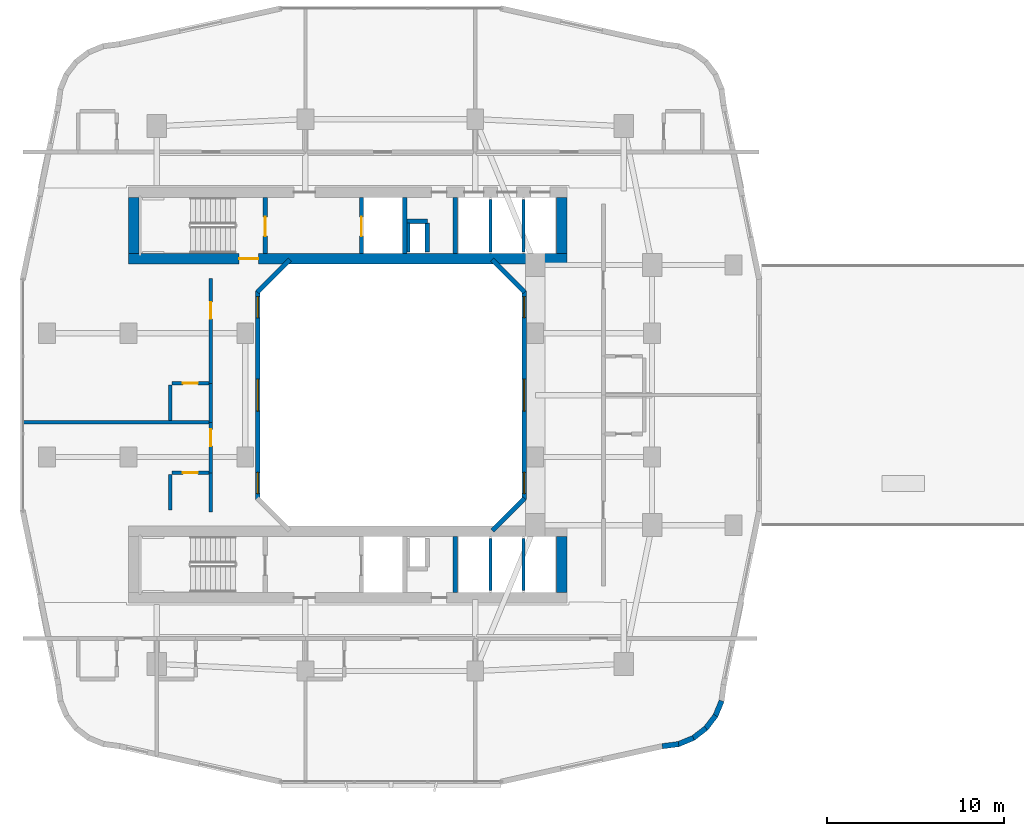
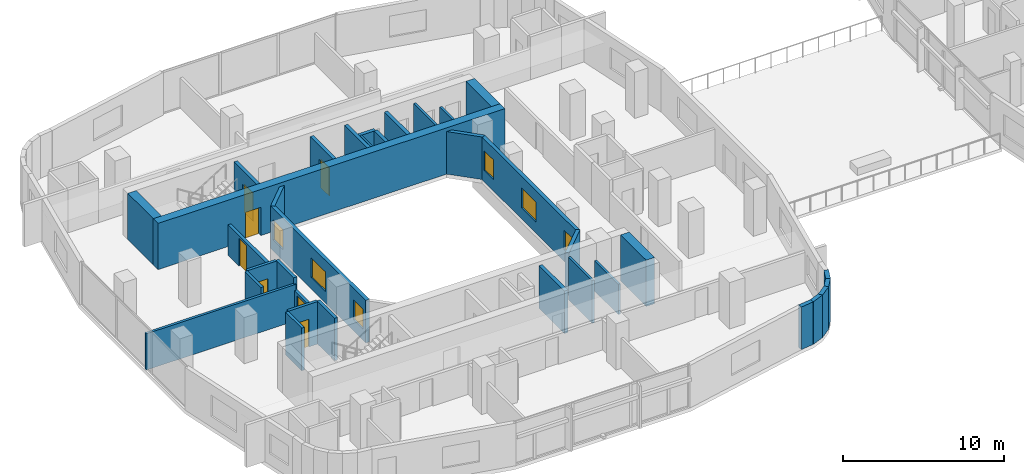
# One storey, part 13 of 25: 35 walls, 7 doors, 6 windows, 13 openings.
"""IFC4 building model written with IfcOpenShell, lengths in metres."""

import ifcopenshell
import ifcopenshell.guid

model = None  # the IFC model being written
_history = None  # IfcOwnerHistory: only IFC2X3 demands one
_inside = {}  # id of a spatial element -> (the spatial element, [elements in it])
_under = {}  # id of a project, library or spatial element -> (it, [spatial elements below it])
_declared = {}  # id of a project -> (the project, [libraries it declares])
_typed = {}  # id of a type object -> (the type object, [elements of that type])
_made_of = {}  # id of a material, layer set ... -> (it, [elements and type objects made of it])


def new_model(schema):
    """Start an empty IFC model of exactly this schema.

    Asked for "IFC4X3", IfcOpenShell would pick the latest addendum, in which some entities
    have other attributes; the version numbers below select the first issue.
    IFC2X3 requires an IfcOwnerHistory on every rooted entity: one is made here for all.
    """
    global model, _history
    if schema == "IFC4X3":
        model = ifcopenshell.file(schema_version=(4, 3, 0, 0))
    else:
        model = ifcopenshell.file(schema=schema)
    _inside.clear()
    _under.clear()
    _declared.clear()
    _typed.clear()
    _made_of.clear()
    _history = None
    if model.schema == "IFC2X3":
        org = make("IfcOrganization", Name="unknown")
        user = make(
            "IfcPersonAndOrganization",
            ThePerson=make("IfcPerson", FamilyName="unknown"),
            TheOrganization=org,
        )
        app = make(
            "IfcApplication",
            ApplicationDeveloper=org,
            Version="unknown",
            ApplicationFullName="unknown",
            ApplicationIdentifier="unknown",
        )
        _history = make(
            "IfcOwnerHistory",
            OwningUser=user,
            OwningApplication=app,
            ChangeAction="ADDED",
            CreationDate=0,
        )
    return model


def make(cls, **values):
    """One entity of the class cls with the attributes given. An attribute that is None is left unset."""
    return model.create_entity(
        cls, **{name: value for name, value in values.items() if value is not None}
    )


def rooted(cls, **values):
    """An entity with a GlobalId (a new one), such as an element, a storey or a relation."""
    return make(cls, GlobalId=ifcopenshell.guid.new(), OwnerHistory=_history, **values)


def si_unit(unit_type, name, prefix=None):
    """IfcSIUnit, for example si_unit("LENGTHUNIT", "METRE", prefix="MILLI")."""
    return make("IfcSIUnit", UnitType=unit_type, Prefix=prefix, Name=name)


def derived_unit(unit_type, elements):
    """IfcDerivedUnit: a product of units, each with its exponent."""
    return make(
        "IfcDerivedUnit",
        Elements=[
            make("IfcDerivedUnitElement", Unit=unit, Exponent=power)
            for unit, power in elements
        ],
        UnitType=unit_type,
    )


def assignment(units):
    """IfcUnitAssignment: the units of a project."""
    return None if units is None else make("IfcUnitAssignment", Units=units)


def point(xyz):
    """IfcCartesianPoint."""
    return None if xyz is None else make("IfcCartesianPoint", Coordinates=xyz)


def direction(xyz):
    """IfcDirection."""
    return None if xyz is None else make("IfcDirection", DirectionRatios=xyz)


def frame(location, z_axis=None, x_axis=None):
    """IfcAxis2Placement3D, a coordinate frame: its origin and axes. An axis left out is left unset."""
    return make(
        "IfcAxis2Placement3D",
        Location=point(location),
        Axis=direction(z_axis),
        RefDirection=direction(x_axis),
    )


def frame_2d(location, x_axis=None):
    """IfcAxis2Placement2D, a coordinate frame in the plane: its origin and x axis."""
    return make(
        "IfcAxis2Placement2D", Location=point(location), RefDirection=direction(x_axis)
    )


def origin():
    """The frame at (0, 0, 0) with its axes left unset."""
    return frame((0.0, 0.0, 0.0))


def place(relative_to, where):
    """IfcLocalPlacement: puts the frame where relative to a parent placement (None: the world)."""
    return make(
        "IfcLocalPlacement", PlacementRelTo=relative_to, RelativePlacement=where
    )


def context(
    kind, dimensions, precision=None, world=None, true_north=None, identifier=None
):
    """IfcGeometricRepresentationContext, for example the 3D "Model" context."""
    return make(
        "IfcGeometricRepresentationContext",
        ContextIdentifier=identifier,
        ContextType=kind,
        CoordinateSpaceDimension=dimensions,
        Precision=precision,
        WorldCoordinateSystem=world,
        TrueNorth=true_north,
    )


def subcontext(parent, identifier, kind, view, scale=None):
    """IfcGeometricRepresentationSubContext, for example "Body" below "Model"."""
    return make(
        "IfcGeometricRepresentationSubContext",
        ContextIdentifier=identifier,
        ContextType=kind,
        ParentContext=parent,
        TargetScale=scale,
        TargetView=view,
    )


def project(units=None, contexts=None):
    """IfcProject with its units and contexts."""
    return rooted(
        "IfcProject",
        Name="project",
        RepresentationContexts=contexts,
        UnitsInContext=assignment(units),
    )


def spatial(cls, under=None, at=None, **own):
    """A site, building, storey or space (cls), placed at a placement, below another one or the project."""
    s = rooted(cls, ObjectPlacement=at, **own)
    if under is not None:
        _under.setdefault(under.id(), (under, []))[1].append(s)
    return s


def profile(cls, at=None, kind="AREA", **sizes):
    """A parametric profile (cls). Its sizes go by their IFC names, for example OverallWidth=200.0."""
    return make(cls, ProfileType=kind, Position=at, **sizes)


def rectangle(**sizes):
    """IfcRectangleProfileDef."""
    return profile("IfcRectangleProfileDef", **sizes)


def extrude(swept, where, along, depth):
    """IfcExtrudedAreaSolid: the profile swept, set in the frame where, extruded along a direction by depth."""
    return make(
        "IfcExtrudedAreaSolid",
        SweptArea=swept,
        Position=where,
        ExtrudedDirection=direction(along),
        Depth=depth,
    )


def shape(context_of_items, identifier, shape_type, items):
    """IfcShapeRepresentation: the items that make up one representation, for example the "Body"."""
    return make(
        "IfcShapeRepresentation",
        ContextOfItems=context_of_items,
        RepresentationIdentifier=identifier,
        RepresentationType=shape_type,
        Items=items,
    )


def material(Name=None, Category=None):
    """IfcMaterial."""
    return make("IfcMaterial", Name=Name, Category=Category)


def layer(
    of_material, thickness, ventilated=None, Name=None, Category=None, Priority=None
):
    """IfcMaterialLayer: one layer of a wall or slab, of a material (None: an air gap)."""
    return make(
        "IfcMaterialLayer",
        Material=of_material,
        LayerThickness=thickness,
        IsVentilated=ventilated,
        Name=Name,
        Category=Category,
        Priority=Priority,
    )


def layer_set(layers, Name=None):
    """IfcMaterialLayerSet."""
    return make("IfcMaterialLayerSet", MaterialLayers=layers, LayerSetName=Name)


def made_of(thing, what):
    """Note that an element or type object is made of a material, layer set ...; save() writes the relation."""
    if what is not None:
        _made_of.setdefault(what.id(), (what, []))[1].append(thing)
    return thing


def type_object(cls, material=None, **own):
    """A type object (cls), such as IfcWallType, which elements share."""
    return made_of(rooted(cls, **own), material)


def element(
    cls,
    number,
    at=None,
    inside=None,
    cuts=None,
    type_object=None,
    material=None,
    context=None,
    identifier="Body",
    shape_type=None,
    held_by="IfcProductDefinitionShape",
    body=None,
    shapes=None,
    **own,
):
    """One element of the class cls, such as IfcWall. Its Tag is "e" and its number.

    at: its placement. inside: the storey or other place that contains it. cuts: it is an
    opening in that element (IfcRelVoidsElement). A single representation is given by context,
    identifier, shape_type and body (its items); several are given by shapes. held_by: the class
    of the entity that holds the representations. save() writes the other relations.
    """
    e = rooted(cls, Tag="e%d" % number, ObjectPlacement=at, **own)
    if body is not None:
        shapes = [shape(context, identifier, shape_type, body)]
    if shapes is not None:
        e.Representation = make(held_by, Representations=shapes)
    if inside is not None:
        _inside.setdefault(inside.id(), (inside, []))[1].append(e)
    if cuts is not None:
        rooted(
            "IfcRelVoidsElement", RelatingBuildingElement=cuts, RelatedOpeningElement=e
        )
    if type_object is not None:
        _typed.setdefault(type_object.id(), (type_object, []))[1].append(e)
    return made_of(e, material)


def fill(opening, filler):
    """IfcRelFillsElement: the door or window that sits in an opening."""
    return rooted(
        "IfcRelFillsElement",
        RelatingOpeningElement=opening,
        RelatedBuildingElement=filler,
    )


def aggregate(whole, parts):
    """IfcRelAggregates: a whole, such as a stair, and the parts it consists of."""
    return rooted("IfcRelAggregates", RelatingObject=whole, RelatedObjects=parts)


def save(model, path):
    """Write the relations noted so far, then the file.

    IfcRelAggregates (storeys below a building ...), IfcRelContainedInSpatialStructure (elements
    in a storey), IfcRelDefinesByType, IfcRelAssociatesMaterial and IfcRelDeclares: one each for
    every whole, place, type object, material and project.
    """
    for whole, parts in _under.values():
        aggregate(whole, parts)
    for where, things in _inside.values():
        rooted(
            "IfcRelContainedInSpatialStructure",
            RelatedElements=things,
            RelatingStructure=where,
        )
    for kind, things in _typed.values():
        rooted("IfcRelDefinesByType", RelatedObjects=things, RelatingType=kind)
    for what, things in _made_of.values():
        rooted("IfcRelAssociatesMaterial", RelatedObjects=things, RelatingMaterial=what)
    for by, libraries in _declared.values():
        rooted("IfcRelDeclares", RelatingContext=by, RelatedDefinitions=libraries)
    model.write(path)


model = new_model("IFC4")

# Units and contexts
model_context = context("Model", 3, precision=1e-05, world=origin(), true_north=direction((0.0, 1.0)))
body_context = subcontext(model_context, "Body", "Model", "MODEL_VIEW")
ifc_project = project(units=[si_unit("LENGTHUNIT", "METRE"), si_unit("AREAUNIT", "SQUARE_METRE"), si_unit("VOLUMEUNIT", "CUBIC_METRE"), si_unit("PLANEANGLEUNIT", "RADIAN"), si_unit("MASSUNIT", "GRAM", prefix="KILO"), derived_unit("THERMALTRANSMITTANCEUNIT", [(si_unit("POWERUNIT", "WATT"), 1), (si_unit("LENGTHUNIT", "METRE"), -2), (si_unit("THERMODYNAMICTEMPERATUREUNIT", "KELVIN"), -1)])], contexts=[model_context])

# Site, building, storey
site_placement = place(None, origin())
site = spatial("IfcSite", under=ifc_project, at=site_placement, CompositionType="ELEMENT")
building_placement = place(site_placement, origin())
building = spatial("IfcBuilding", under=site, at=building_placement, Name="Kivonza Crest Hotel", CompositionType="ELEMENT")
storey_placement = place(building_placement, frame((0.0, 0.0, 24.0)))
storey = spatial("IfcBuildingStorey", under=building, at=storey_placement, Name="L05", CompositionType="ELEMENT", Elevation=24.0)

# Walls
ifc_material_1 = material(Name="High-density acoustic masonry inter-tenancy wall", Category="masonry")
ifc_layer_1 = layer(ifc_material_1, 0.179931640625)
ifc_layer_set_1 = layer_set([ifc_layer_1], Name="High-density acoustic masonry inter-tenancy wall")
wall_type_1 = type_object("IfcWallType", Name="WL-ACOU-180", PredefinedType="SOLIDWALL", material=ifc_layer_set_1)
wall_1_placement = place(storey_placement, frame((0.139892578125, 23.4599609375, 0.0), z_axis=(0.0, 0.0, 1.0), x_axis=(1.0, 0.0, 0.0)))
element("IfcWall", 1, at=wall_1_placement, inside=storey, type_object=wall_type_1, Name="L05 interior partition WA-L05-T1W-DIV1", PredefinedType="SOLIDWALL", context=body_context, shape_type="SweptSolid", body=[
    extrude(rectangle(XDim=10.710205078125, YDim=0.179931640625, at=frame_2d((5.35498046875, 0.0))), origin(), (0.0, 0.0, 1.0), 2.7451171875),
])
ifc_material_2 = material(Name="Autoclaved aerated concrete blockwork", Category="masonry")
ifc_layer_2 = layer(ifc_material_2, 0.219970703125)
ifc_layer_set_2 = layer_set([ifc_layer_2], Name="Autoclaved aerated concrete blockwork")
wall_type_2 = type_object("IfcWallType", Name="WL-ACOU-220", PredefinedType="SOLIDWALL", material=ifc_layer_set_2)
wall_2_placement = place(storey_placement, frame((10.85009765625, 18.39990234375, 0.0), z_axis=(0.0, 0.0, 1.0), x_axis=(0.0, 1.0, 0.0)))
element("IfcWall", 2, at=wall_2_placement, inside=storey, type_object=wall_type_2, Name="L05 interior partition WA-L05-W06-BCORR", PredefinedType="SOLIDWALL", context=body_context, shape_type="SweptSolid", body=[
    extrude(rectangle(XDim=2.2001953125, YDim=0.219970703125, at=frame_2d((1.10009765625, 0.0))), origin(), (0.0, 0.0, 1.0), 3.219970703125),
])

# Wall, opening, door
wall_3_placement = place(storey_placement, frame((10.85009765625, 20.60009765625, 0.0), z_axis=(0.0, 0.0, 1.0), x_axis=(0.0, 1.0, 0.0)))
wall_3 = element("IfcWall", 3, at=wall_3_placement, inside=storey, type_object=wall_type_2, Name="L05 interior partition WA-L05-W06-MCORR", PredefinedType="SOLIDWALL", context=body_context, shape_type="SweptSolid", body=[
    extrude(rectangle(XDim=2.85986328125, YDim=0.219970703125, at=frame_2d((1.429931640625, 0.0))), origin(), (0.0, 0.0, 1.0), 2.294921875),
])
opening_1_placement = place(wall_3_placement, frame((1.514892578125, 0.0, 0.0)))
opening_1 = element("IfcOpeningElement", 4, at=opening_1_placement, cuts=wall_3, Name="Opening DU-60", PredefinedType="OPENING", context=body_context, shape_type="SweptSolid", body=[
    extrude(rectangle(XDim=0.949951171875, YDim=2.10009765625, at=frame_2d((0.47509765625, 1.050048828125))), frame((0.0, 0.1201171875, 0.0), z_axis=(0.0, -1.0, 0.0), x_axis=(1.0, 0.0, 0.0)), (0.0, 0.0, 1.0), 0.239990234375),
])
ifc_material_3 = material(Name="Hardwood timber oak", Category="wood")
door_type_1 = type_object("IfcDoorType", Name="DR-UNIT-950", OperationType="NOTDEFINED", PredefinedType="DOOR", material=ifc_material_3)
door_1_placement = place(opening_1_placement, origin())
door_1 = element("IfcDoor", 5, at=door_1_placement, inside=storey, type_object=door_type_1, Name="L05 W06 guest unit entrance fire door", OperationType="SINGLE_SWING_RIGHT", OverallHeight=2.10009765625, OverallWidth=0.949951171875, PredefinedType="DOOR", context=body_context, shape_type="SweptSolid", body=[
    extrude(rectangle(XDim=0.949951171875, YDim=2.10009765625, at=frame_2d((0.47509765625, 1.050048828125))), frame((0.0, 0.02490234375, 0.0), z_axis=(0.0, -1.0, 0.0), x_axis=(1.0, 0.0, 0.0)), (0.0, 0.0, 1.0), 0.050048828125),
])
fill(opening_1, door_1)

# Wall
wall_4_placement = place(storey_placement, frame((10.85009765625, 23.4599609375, 0.0), z_axis=(0.0, 0.0, 1.0), x_axis=(0.0, 1.0, 0.0)))
element("IfcWall", 6, at=wall_4_placement, inside=storey, type_object=wall_type_2, Name="L05 interior partition WA-L05-W07-BCORR", PredefinedType="SOLIDWALL", context=body_context, shape_type="SweptSolid", body=[
    extrude(rectangle(XDim=2.199951171875, YDim=0.219970703125, at=frame_2d((1.10009765625, 0.0))), origin(), (0.0, 0.0, 1.0), 3.219970703125),
])

# Wall, opening, door
wall_5_placement = place(storey_placement, frame((10.85009765625, 25.659912109375, 0.0), z_axis=(0.0, 0.0, 1.0), x_axis=(0.0, 1.0, 0.0)))
wall_5 = element("IfcWall", 7, at=wall_5_placement, inside=storey, type_object=wall_type_2, Name="L05 interior partition WA-L05-W07-MCORR", PredefinedType="SOLIDWALL", context=body_context, shape_type="SweptSolid", body=[
    extrude(rectangle(XDim=5.940185546875, YDim=0.219970703125, at=frame_2d((2.97021484375, 0.0))), origin(), (0.0, 0.0, 1.0), 2.294921875),
])
opening_2_placement = place(wall_5_placement, frame((3.64501953125, 0.0, 0.0)))
opening_2 = element("IfcOpeningElement", 8, at=opening_2_placement, cuts=wall_5, Name="Opening DU-60", PredefinedType="OPENING", context=body_context, shape_type="SweptSolid", body=[
    extrude(rectangle(XDim=0.949951171875, YDim=2.10009765625, at=frame_2d((0.47509765625, 1.050048828125))), frame((0.0, 0.1201171875, 0.0), z_axis=(0.0, -1.0, 0.0), x_axis=(1.0, 0.0, 0.0)), (0.0, 0.0, 1.0), 0.239990234375),
])
door_2_placement = place(opening_2_placement, origin())
door_2 = element("IfcDoor", 9, at=door_2_placement, inside=storey, type_object=door_type_1, Name="L05 W07 guest unit entrance fire door", OperationType="SINGLE_SWING_LEFT", OverallHeight=2.10009765625, OverallWidth=0.949951171875, PredefinedType="DOOR", context=body_context, shape_type="SweptSolid", body=[
    extrude(rectangle(XDim=0.949951171875, YDim=2.10009765625, at=frame_2d((0.47509765625, 1.050048828125))), frame((0.0, 0.02490234375, 0.0), z_axis=(0.0, -1.0, 0.0), x_axis=(1.0, 0.0, 0.0)), (0.0, 0.0, 1.0), 0.050048828125),
])
fill(opening_2, door_2)

ifc_material_4 = material(Name="Concrete C60/75", Category="concrete")
ifc_layer_3 = layer(ifc_material_4, 0.60009765625)
ifc_layer_set_3 = layer_set([ifc_layer_3], Name="Concrete C60/75")
wall_type_3 = type_object("IfcWallType", Name="WL-CORE-600", PredefinedType="SHEAR", material=ifc_layer_set_3)
wall_6_placement = place(storey_placement, frame((6.199951171875, 32.699951171875, 0.0), z_axis=(0.0, 0.0, 1.0), x_axis=(1.0, 0.0, 0.0)))
wall_6 = element("IfcWall", 10, at=wall_6_placement, inside=storey, type_object=wall_type_3, Name="Core wall T1-N South L05", PredefinedType="SHEAR", context=body_context, shape_type="SweptSolid", body=[
    extrude(rectangle(XDim=24.800048828125, YDim=0.60009765625, at=frame_2d((12.39990234375, 0.0))), origin(), (0.0, 0.0, 1.0), 3.5),
])
opening_3_placement = place(wall_6_placement, frame((6.25, 0.0, 0.0)))
opening_3 = element("IfcOpeningElement", 11, at=opening_3_placement, cuts=wall_6, Name="Opening DF-120", PredefinedType="OPENING", context=body_context, shape_type="SweptSolid", body=[
    extrude(rectangle(XDim=1.10009765625, YDim=2.14990234375, at=frame_2d((0.550048828125, 1.074951171875))), frame((0.0, 0.31005859375, 0.0), z_axis=(0.0, -1.0, 0.0), x_axis=(1.0, 0.0, 0.0)), (0.0, 0.0, 1.0), 0.6201171875),
])
ifc_material_5 = material(Name="Galvanised steel", Category="steel")
door_type_2 = type_object("IfcDoorType", Name="DR-FD120-1100", OperationType="NOTDEFINED", PredefinedType="DOOR", material=ifc_material_5)
door_3_placement = place(opening_3_placement, origin())
door_3 = element("IfcDoor", 12, at=door_3_placement, inside=storey, type_object=door_type_2, Name="L05 West corridor stair access fire door", OperationType="SINGLE_SWING_LEFT", OverallHeight=2.14990234375, OverallWidth=1.10009765625, PredefinedType="DOOR", context=body_context, shape_type="SweptSolid", body=[
    extrude(rectangle(XDim=1.10009765625, YDim=2.14990234375, at=frame_2d((0.550048828125, 1.074951171875))), frame((0.0, 0.02490234375, 0.0), z_axis=(0.0, -1.0, 0.0), x_axis=(1.0, 0.0, 0.0)), (0.0, 0.0, 1.0), 0.050048828125),
])
fill(opening_3, door_3)

# Walls
for number, where, z_axis, x_axis, name in (
    (13, (6.5, 33.0, 0.0), (0.0, 0.0, 1.0), (0.0, 1.0, 0.0), "Core wall T1-N West L05"),
    (14, (30.699951171875, 33.0, 0.0), (0.0, 0.0, 1.0), (0.0, 1.0, 0.0), "Core wall T1-N East L05"),
    (15, (30.699951171875, 13.840087890625, 0.0), (0.0, 0.0, 1.0), (0.0, 1.0, 0.0), "Core wall T1-S East L05"),
):
    element("IfcWall", number, at=place(storey_placement, frame(where, z_axis=z_axis, x_axis=x_axis)), inside=storey, type_object=wall_type_3, Name=name, PredefinedType="SHEAR", context=body_context, shape_type="SweptSolid", body=[
        extrude(rectangle(XDim=3.159912109375, YDim=0.60009765625, at=frame_2d((1.580078125, 0.0))), origin(), (0.0, 0.0, 1.0), 3.5),
    ])
ifc_material_6 = material(Name="Precast concrete C40/50", Category="concrete")
ifc_layer_4 = layer(ifc_material_6, 0.260009765625)
ifc_layer_set_4 = layer_set([ifc_layer_4], Name="Precast concrete C40/50")
wall_type_4 = type_object("IfcWallType", Name="WL-EXT-260", PredefinedType="STANDARD", material=ifc_layer_set_4)
wall_7_placement = place(storey_placement, frame((26.761962890625, 17.337890625, 0.0), z_axis=(0.0, 0.0, 1.0), x_axis=(0.707059717605, 0.707153841636, 0.0)))
element("IfcWall", 16, at=wall_7_placement, inside=storey, type_object=wall_type_4, Name="L05 T1 light-well exterior wall 2", PredefinedType="STANDARD", context=body_context, shape_type="SweptSolid", body=[
    extrude(rectangle(XDim=2.59375, YDim=0.260009765625, at=frame_2d((1.296875, 0.0))), origin(), (0.0, 0.0, 1.0), 3.219970703125),
])

# Wall, openings, windows
wall_8_placement = place(storey_placement, frame((28.570068359375, 19.110107421875, 0.0), z_axis=(0.0, 0.0, 1.0), x_axis=(0.0, 1.0, 0.0)))
wall_8 = element("IfcWall", 17, at=wall_8_placement, inside=storey, type_object=wall_type_4, Name="L05 T1 light-well exterior wall 3", PredefinedType="STANDARD", context=body_context, shape_type="SweptSolid", body=[
    extrude(rectangle(XDim=11.77978515625, YDim=0.260009765625, at=frame_2d((5.889892578125, 0.0))), origin(), (0.0, 0.0, 1.0), 3.219970703125),
])
opening_4_placement = place(wall_8_placement, frame((0.318115234375, 0.0, 0.85009765625)))
opening_4 = element("IfcOpeningElement", 18, at=opening_4_placement, cuts=wall_8, Name="Opening WN-01", PredefinedType="OPENING", context=body_context, shape_type="SweptSolid", body=[
    extrude(rectangle(XDim=1.199951171875, YDim=1.5, at=frame_2d((0.60009765625, 0.75))), frame((0.0, 0.14013671875, 0.0), z_axis=(0.0, -1.0, 0.0), x_axis=(1.0, 0.0, 0.0)), (0.0, 0.0, 1.0), 0.280029296875),
])
opening_5_placement = place(wall_8_placement, frame((4.989990234375, 0.0, 0.85009765625)))
opening_5 = element("IfcOpeningElement", 19, at=opening_5_placement, cuts=wall_8, Name="Opening WN-03", PredefinedType="OPENING", context=body_context, shape_type="SweptSolid", body=[
    extrude(rectangle(XDim=1.800048828125, YDim=1.5, at=frame_2d((0.89990234375, 0.75))), frame((0.0, 0.14013671875, 0.0), z_axis=(0.0, -1.0, 0.0), x_axis=(1.0, 0.0, 0.0)), (0.0, 0.0, 1.0), 0.280029296875),
])
opening_6_placement = place(wall_8_placement, frame((10.262939453125, 0.0, 0.85009765625)))
opening_6 = element("IfcOpeningElement", 20, at=opening_6_placement, cuts=wall_8, Name="Opening WN-01", PredefinedType="OPENING", context=body_context, shape_type="SweptSolid", body=[
    extrude(rectangle(XDim=1.199951171875, YDim=1.5, at=frame_2d((0.60009765625, 0.75))), frame((0.0, 0.14013671875, 0.0), z_axis=(0.0, -1.0, 0.0), x_axis=(1.0, 0.0, 0.0)), (0.0, 0.0, 1.0), 0.280029296875),
])
ifc_material_7 = material(Name="Thermally broken bronze aluminium and low-E double glazing", Category="aluminium")
window_type_1 = type_object("IfcWindowType", Name="WN-120x150", PartitioningType="SINGLE_PANEL", PredefinedType="WINDOW", material=ifc_material_7)
window_1_placement = place(opening_4_placement, origin())
window_1 = element("IfcWindow", 21, at=window_1_placement, inside=storey, type_object=window_type_1, Name="L05 T1 light-well window 3 bay 1", OverallHeight=1.5, OverallWidth=1.199951171875, PartitioningType="SINGLE_PANEL", PredefinedType="WINDOW", context=body_context, shape_type="SweptSolid", body=[
    extrude(rectangle(XDim=1.199951171875, YDim=1.5, at=frame_2d((0.60009765625, 0.75))), frame((0.0, 0.030029296875, 0.0), z_axis=(0.0, -1.0, 0.0), x_axis=(1.0, 0.0, 0.0)), (0.0, 0.0, 1.0), 0.06005859375),
])
fill(opening_4, window_1)
window_2_placement = place(opening_6_placement, origin())
window_2 = element("IfcWindow", 22, at=window_2_placement, inside=storey, type_object=window_type_1, Name="L05 T1 light-well window 3 bay 3", OverallHeight=1.5, OverallWidth=1.199951171875, PartitioningType="SINGLE_PANEL", PredefinedType="WINDOW", context=body_context, shape_type="SweptSolid", body=[
    extrude(rectangle(XDim=1.199951171875, YDim=1.5, at=frame_2d((0.60009765625, 0.75))), frame((0.0, 0.030029296875, 0.0), z_axis=(0.0, -1.0, 0.0), x_axis=(1.0, 0.0, 0.0)), (0.0, 0.0, 1.0), 0.06005859375),
])
fill(opening_6, window_2)
window_type_2 = type_object("IfcWindowType", Name="WN-180x150", PartitioningType="DOUBLE_PANEL_VERTICAL", PredefinedType="WINDOW", material=ifc_material_7)
window_3_placement = place(opening_5_placement, origin())
window_3 = element("IfcWindow", 23, at=window_3_placement, inside=storey, type_object=window_type_2, Name="L05 T1 light-well window 3 bay 2", OverallHeight=1.5, OverallWidth=1.800048828125, PartitioningType="SINGLE_PANEL", PredefinedType="WINDOW", context=body_context, shape_type="SweptSolid", body=[
    extrude(rectangle(XDim=1.800048828125, YDim=1.5, at=frame_2d((0.89990234375, 0.75))), frame((0.0, 0.030029296875, 0.0), z_axis=(0.0, -1.0, 0.0), x_axis=(1.0, 0.0, 0.0)), (0.0, 0.0, 1.0), 0.06005859375),
])
fill(opening_5, window_3)

# Walls
wall_9_placement = place(storey_placement, frame((28.595947265625, 30.827880859375, 0.0), z_axis=(0.0, 0.0, 1.0), x_axis=(-0.707059717605, 0.707153841636, 0.0)))
element("IfcWall", 24, at=wall_9_placement, inside=storey, type_object=wall_type_4, Name="L05 T1 light-well exterior wall 4", PredefinedType="STANDARD", context=body_context, shape_type="SweptSolid", body=[
    extrude(rectangle(XDim=2.59375, YDim=0.260009765625, at=frame_2d((1.296875, 0.0))), origin(), (0.0, 0.0, 1.0), 3.219970703125),
])
wall_10_placement = place(storey_placement, frame((15.318115234375, 32.662109375, 0.0), z_axis=(0.0, 0.0, 1.0), x_axis=(-0.707106781187, -0.707106781187, 0.0)))
element("IfcWall", 25, at=wall_10_placement, inside=storey, type_object=wall_type_4, Name="L05 T1 light-well exterior wall 6", PredefinedType="STANDARD", context=body_context, shape_type="SweptSolid", body=[
    extrude(rectangle(XDim=2.593994140625, YDim=0.260009765625, at=frame_2d((1.296875, 0.0))), origin(), (0.0, 0.0, 1.0), 3.219970703125),
])

# Wall, openings, windows
wall_11_placement = place(storey_placement, frame((13.510009765625, 30.889892578125, 0.0), z_axis=(0.0, 0.0, 1.0), x_axis=(0.0, -1.0, 0.0)))
wall_11 = element("IfcWall", 26, at=wall_11_placement, inside=storey, type_object=wall_type_4, Name="L05 T1 light-well exterior wall 7", PredefinedType="STANDARD", context=body_context, shape_type="SweptSolid", body=[
    extrude(rectangle(XDim=11.77978515625, YDim=0.260009765625, at=frame_2d((5.889892578125, 0.0))), origin(), (0.0, 0.0, 1.0), 3.219970703125),
])
opening_7_placement = place(wall_11_placement, frame((0.318115234375, 0.0, 0.85009765625)))
opening_7 = element("IfcOpeningElement", 27, at=opening_7_placement, cuts=wall_11, Name="Opening WN-01", PredefinedType="OPENING", context=body_context, shape_type="SweptSolid", body=[
    extrude(rectangle(XDim=1.199951171875, YDim=1.5, at=frame_2d((0.60009765625, 0.75))), frame((0.0, 0.14013671875, 0.0), z_axis=(0.0, -1.0, 0.0), x_axis=(1.0, 0.0, 0.0)), (0.0, 0.0, 1.0), 0.280029296875),
])
opening_8_placement = place(wall_11_placement, frame((4.989990234375, 0.0, 0.85009765625)))
opening_8 = element("IfcOpeningElement", 28, at=opening_8_placement, cuts=wall_11, Name="Opening WN-03", PredefinedType="OPENING", context=body_context, shape_type="SweptSolid", body=[
    extrude(rectangle(XDim=1.800048828125, YDim=1.5, at=frame_2d((0.89990234375, 0.75))), frame((0.0, 0.14013671875, 0.0), z_axis=(0.0, -1.0, 0.0), x_axis=(1.0, 0.0, 0.0)), (0.0, 0.0, 1.0), 0.280029296875),
])
opening_9_placement = place(wall_11_placement, frame((10.262939453125, 0.0, 0.85009765625)))
opening_9 = element("IfcOpeningElement", 29, at=opening_9_placement, cuts=wall_11, Name="Opening WN-01", PredefinedType="OPENING", context=body_context, shape_type="SweptSolid", body=[
    extrude(rectangle(XDim=1.199951171875, YDim=1.5, at=frame_2d((0.60009765625, 0.75))), frame((0.0, 0.14013671875, 0.0), z_axis=(0.0, -1.0, 0.0), x_axis=(1.0, 0.0, 0.0)), (0.0, 0.0, 1.0), 0.280029296875),
])
window_4_placement = place(opening_7_placement, origin())
window_4 = element("IfcWindow", 30, at=window_4_placement, inside=storey, type_object=window_type_1, Name="L05 T1 light-well window 7 bay 1", OverallHeight=1.5, OverallWidth=1.199951171875, PartitioningType="SINGLE_PANEL", PredefinedType="WINDOW", context=body_context, shape_type="SweptSolid", body=[
    extrude(rectangle(XDim=1.199951171875, YDim=1.5, at=frame_2d((0.60009765625, 0.75))), frame((0.0, 0.030029296875, 0.0), z_axis=(0.0, -1.0, 0.0), x_axis=(1.0, 0.0, 0.0)), (0.0, 0.0, 1.0), 0.06005859375),
])
fill(opening_7, window_4)
window_5_placement = place(opening_9_placement, origin())
window_5 = element("IfcWindow", 31, at=window_5_placement, inside=storey, type_object=window_type_1, Name="L05 T1 light-well window 7 bay 3", OverallHeight=1.5, OverallWidth=1.199951171875, PartitioningType="SINGLE_PANEL", PredefinedType="WINDOW", context=body_context, shape_type="SweptSolid", body=[
    extrude(rectangle(XDim=1.199951171875, YDim=1.5, at=frame_2d((0.60009765625, 0.75))), frame((0.0, 0.030029296875, 0.0), z_axis=(0.0, -1.0, 0.0), x_axis=(1.0, 0.0, 0.0)), (0.0, 0.0, 1.0), 0.06005859375),
])
fill(opening_9, window_5)
window_6_placement = place(opening_8_placement, origin())
window_6 = element("IfcWindow", 32, at=window_6_placement, inside=storey, type_object=window_type_2, Name="L05 T1 light-well window 7 bay 2", OverallHeight=1.5, OverallWidth=1.800048828125, PartitioningType="SINGLE_PANEL", PredefinedType="WINDOW", context=body_context, shape_type="SweptSolid", body=[
    extrude(rectangle(XDim=1.800048828125, YDim=1.5, at=frame_2d((0.89990234375, 0.75))), frame((0.0, 0.030029296875, 0.0), z_axis=(0.0, -1.0, 0.0), x_axis=(1.0, 0.0, 0.0)), (0.0, 0.0, 1.0), 0.06005859375),
])
fill(opening_8, window_6)

# Walls
ifc_layer_5 = layer(ifc_material_6, 0.300048828125)
ifc_layer_set_5 = layer_set([ifc_layer_5], Name="Precast concrete C40/50")
wall_type_5 = type_object("IfcWallType", Name="WL-EXT-300", PredefinedType="STANDARD", material=ifc_layer_set_5)
wall_12_placement = place(storey_placement, frame((36.3720703125, 5.14794921875, 0.0), z_axis=(0.0, 0.0, 1.0), x_axis=(0.991359246108, 0.131174864804, 0.0)))
element("IfcWall", 33, at=wall_12_placement, inside=storey, type_object=wall_type_5, Name="L05 T1 exterior insulated wall 10", PredefinedType="STANDARD", context=body_context, shape_type="SweptSolid", body=[
    extrude(rectangle(XDim=0.93798828125, YDim=0.300048828125, at=frame_2d((0.468994140625, 0.0))), origin(), (0.0, 0.0, 1.0), 3.219970703125),
])
wall_13_placement = place(storey_placement, frame((37.251953125, 5.251953125, 0.0), z_axis=(0.0, 0.0, 1.0), x_axis=(0.924019948111, 0.382344263057, 0.0)))
element("IfcWall", 34, at=wall_13_placement, inside=storey, type_object=wall_type_5, Name="L05 T1 exterior insulated wall 11", PredefinedType="STANDARD", context=body_context, shape_type="SweptSolid", body=[
    extrude(rectangle(XDim=0.95458984375, YDim=0.300048828125, at=frame_2d((0.477294921875, 0.0))), origin(), (0.0, 0.0, 1.0), 3.219970703125),
])
wall_14_placement = place(storey_placement, frame((38.089111328125, 5.5859375, 0.0), z_axis=(0.0, 0.0, 1.0), x_axis=(0.793573440799, 0.608474481025, 0.0)))
element("IfcWall", 35, at=wall_14_placement, inside=storey, type_object=wall_type_5, Name="L05 T1 exterior insulated wall 12", PredefinedType="STANDARD", context=body_context, shape_type="SweptSolid", body=[
    extrude(rectangle(XDim=0.954833984375, YDim=0.300048828125, at=frame_2d((0.4775390625, 0.0))), origin(), (0.0, 0.0, 1.0), 3.219970703125),
])
wall_15_placement = place(storey_placement, frame((38.81201171875, 6.125, 0.0), z_axis=(0.0, 0.0, 1.0), x_axis=(0.608351047625, 0.793668068435, 0.0)))
element("IfcWall", 36, at=wall_15_placement, inside=storey, type_object=wall_type_5, Name="L05 T1 exterior insulated wall 13", PredefinedType="STANDARD", context=body_context, shape_type="SweptSolid", body=[
    extrude(rectangle(XDim=0.955078125, YDim=0.300048828125, at=frame_2d((0.4775390625, 0.0))), origin(), (0.0, 0.0, 1.0), 3.219970703125),
])
wall_16_placement = place(storey_placement, frame((39.368896484375, 6.833984375, 0.0), z_axis=(0.0, 0.0, 1.0), x_axis=(0.382344263057, 0.924019948111, 0.0)))
element("IfcWall", 37, at=wall_16_placement, inside=storey, type_object=wall_type_5, Name="L05 T1 exterior insulated wall 14", PredefinedType="STANDARD", context=body_context, shape_type="SweptSolid", body=[
    extrude(rectangle(XDim=0.95458984375, YDim=0.300048828125, at=frame_2d((0.477294921875, 0.0))), origin(), (0.0, 0.0, 1.0), 3.219970703125),
])
ifc_material_8 = material(Name="Concrete blockwork fire-compartment wall", Category="masonry")
ifc_layer_6 = layer(ifc_material_8, 0.25)
ifc_layer_set_6 = layer_set([ifc_layer_6], Name="Concrete blockwork fire-compartment wall")
wall_type_6 = type_object("IfcWallType", Name="WL-FIRE-250", PredefinedType="SOLIDWALL", material=ifc_layer_set_6)
wall_17_placement = place(storey_placement, frame((23.10009765625, 33.10009765625, 0.0), z_axis=(0.0, 0.0, 1.0), x_axis=(0.0, 1.0, 0.0)))
element("IfcWall", 38, at=wall_17_placement, inside=storey, type_object=wall_type_6, Name="L05 interior partition WA-L05-T1-N-MEPR-E", PredefinedType="SOLIDWALL", context=body_context, shape_type="SweptSolid", body=[
    extrude(rectangle(XDim=1.619873046875, YDim=0.25, at=frame_2d((0.81005859375, 0.0))), origin(), (0.0, 0.0, 1.0), 3.219970703125),
])
wall_18_placement = place(storey_placement, frame((21.949951171875, 34.820068359375, 0.0), z_axis=(0.0, 0.0, 1.0), x_axis=(1.0, 0.0, 0.0)))
element("IfcWall", 39, at=wall_18_placement, inside=storey, type_object=wall_type_6, Name="L05 interior partition WA-L05-T1-N-MEPR-H", PredefinedType="SOLIDWALL", context=body_context, shape_type="SweptSolid", body=[
    extrude(rectangle(XDim=1.150146484375, YDim=0.25, at=frame_2d((0.5751953125, 0.0))), origin(), (0.0, 0.0, 1.0), 3.219970703125),
])
ifc_material_9 = material(Name="Twin-stud acoustic gypsum board partition", Category="gypsum")
ifc_layer_7 = layer(ifc_material_9, 0.14990234375)
ifc_layer_set_7 = layer_set([ifc_layer_7], Name="Twin-stud acoustic gypsum board partition")
wall_type_7 = type_object("IfcWallType", Name="WL-PART-150", PredefinedType="PARTITIONING", material=ifc_layer_set_7)
wall_19_placement = place(storey_placement, frame((22.030029296875, 33.10009765625, 0.0), z_axis=(0.0, 0.0, 1.0), x_axis=(0.0, 1.0, 0.0)))
element("IfcWall", 40, at=wall_19_placement, inside=storey, type_object=wall_type_7, Name="L05 interior partition WA-L05-T1-N-MEPR-W", PredefinedType="PARTITIONING", context=body_context, shape_type="SweptSolid", body=[
    extrude(rectangle(XDim=1.619873046875, YDim=0.14990234375, at=frame_2d((0.81005859375, 0.0))), origin(), (0.0, 0.0, 1.0), 3.219970703125),
])
wall_20_placement = place(storey_placement, frame((26.6669921875, 33.10009765625, 0.0), z_axis=(0.0, 0.0, 1.0), x_axis=(0.0, 1.0, 0.0)))
element("IfcWall", 41, at=wall_20_placement, inside=storey, type_object=wall_type_7, Name="L05 interior partition WP-L05-T1-N-BSH-1", PredefinedType="PARTITIONING", context=body_context, shape_type="SweptSolid", body=[
    extrude(rectangle(XDim=2.9599609375, YDim=0.14990234375, at=frame_2d((1.47998046875, 0.0))), origin(), (0.0, 0.0, 1.0), 3.219970703125),
])
wall_21_placement = place(storey_placement, frame((28.532958984375, 33.10009765625, 0.0), z_axis=(0.0, 0.0, 1.0), x_axis=(0.0, 1.0, 0.0)))
element("IfcWall", 42, at=wall_21_placement, inside=storey, type_object=wall_type_7, Name="L05 interior partition WP-L05-T1-N-BSH-2", PredefinedType="PARTITIONING", context=body_context, shape_type="SweptSolid", body=[
    extrude(rectangle(XDim=2.9599609375, YDim=0.14990234375, at=frame_2d((1.47998046875, 0.0))), origin(), (0.0, 0.0, 1.0), 2.294921875),
])
wall_22_placement = place(storey_placement, frame((26.6669921875, 13.93994140625, 0.0), z_axis=(0.0, 0.0, 1.0), x_axis=(0.0, 1.0, 0.0)))
element("IfcWall", 43, at=wall_22_placement, inside=storey, type_object=wall_type_7, Name="L05 interior partition WP-L05-T1-S-BSH-1", PredefinedType="PARTITIONING", context=body_context, shape_type="SweptSolid", body=[
    extrude(rectangle(XDim=2.9599609375, YDim=0.14990234375, at=frame_2d((1.47998046875, 0.0))), origin(), (0.0, 0.0, 1.0), 3.219970703125),
])
wall_23_placement = place(storey_placement, frame((28.532958984375, 13.93994140625, 0.0), z_axis=(0.0, 0.0, 1.0), x_axis=(0.0, 1.0, 0.0)))
element("IfcWall", 44, at=wall_23_placement, inside=storey, type_object=wall_type_7, Name="L05 interior partition WP-L05-T1-S-BSH-2", PredefinedType="PARTITIONING", context=body_context, shape_type="SweptSolid", body=[
    extrude(rectangle(XDim=2.9599609375, YDim=0.14990234375, at=frame_2d((1.47998046875, 0.0))), origin(), (0.0, 0.0, 1.0), 2.294921875),
])

# Wall, opening, door
ifc_material_10 = material(Name="Moisture-resistant plumbing chase partition wall", Category="gypsum")
ifc_layer_8 = layer(ifc_material_10, 0.199951171875)
ifc_layer_set_8 = layer_set([ifc_layer_8], Name="Moisture-resistant plumbing chase partition wall")
wall_type_8 = type_object("IfcWallType", Name="WL-PLUMB-200", PredefinedType="PLUMBINGWALL", material=ifc_layer_set_8)
wall_24_placement = place(storey_placement, frame((8.64990234375, 20.60009765625, 0.0), z_axis=(0.0, 0.0, 1.0), x_axis=(1.0, 0.0, 0.0)))
wall_24 = element("IfcWall", 45, at=wall_24_placement, inside=storey, type_object=wall_type_8, Name="L05 interior partition WW-L05-W06-BH", PredefinedType="PLUMBINGWALL", context=body_context, shape_type="SweptSolid", body=[
    extrude(rectangle(XDim=2.10009765625, YDim=0.199951171875, at=frame_2d((1.050048828125, 0.0))), origin(), (0.0, 0.0, 1.0), 3.219970703125),
])
opening_10_placement = place(wall_24_placement, frame((0.625, 0.0, 0.0)))
opening_10 = element("IfcOpeningElement", 46, at=opening_10_placement, cuts=wall_24, Name="Opening DI-85", PredefinedType="OPENING", context=body_context, shape_type="SweptSolid", body=[
    extrude(rectangle(XDim=0.85009765625, YDim=2.10009765625, at=frame_2d((0.425048828125, 1.050048828125))), frame((0.0, 0.10986328125, 0.0), z_axis=(0.0, -1.0, 0.0), x_axis=(1.0, 0.0, 0.0)), (0.0, 0.0, 1.0), 0.219970703125),
])
door_type_3 = type_object("IfcDoorType", Name="DR-INT-850", OperationType="NOTDEFINED", PredefinedType="DOOR", material=ifc_material_3)
door_4_placement = place(opening_10_placement, origin())
door_4 = element("IfcDoor", 47, at=door_4_placement, inside=storey, type_object=door_type_3, Name="L05 W06 en-suite bathroom door", OperationType="SINGLE_SWING_LEFT", OverallHeight=2.10009765625, OverallWidth=0.85009765625, PredefinedType="DOOR", context=body_context, shape_type="SweptSolid", body=[
    extrude(rectangle(XDim=0.85009765625, YDim=2.10009765625, at=frame_2d((0.425048828125, 1.050048828125))), frame((0.0, 0.02490234375, 0.0), z_axis=(0.0, -1.0, 0.0), x_axis=(1.0, 0.0, 0.0)), (0.0, 0.0, 1.0), 0.050048828125),
])
fill(opening_10, door_4)

# Wall
wall_25_placement = place(storey_placement, frame((8.550048828125, 18.5, 0.0), z_axis=(0.0, 0.0, 1.0), x_axis=(0.0, 1.0, 0.0)))
element("IfcWall", 48, at=wall_25_placement, inside=storey, type_object=wall_type_8, Name="L05 interior partition WW-L05-W06-BV", PredefinedType="PLUMBINGWALL", context=body_context, shape_type="SweptSolid", body=[
    extrude(rectangle(XDim=2.0, YDim=0.199951171875, at=frame_2d((1.0, 0.0))), origin(), (0.0, 0.0, 1.0), 3.219970703125),
])

# Wall, opening, door
wall_26_placement = place(storey_placement, frame((8.64990234375, 25.659912109375, 0.0), z_axis=(0.0, 0.0, 1.0), x_axis=(1.0, 0.0, 0.0)))
wall_26 = element("IfcWall", 49, at=wall_26_placement, inside=storey, type_object=wall_type_8, Name="L05 interior partition WW-L05-W07-BH", PredefinedType="PLUMBINGWALL", context=body_context, shape_type="SweptSolid", body=[
    extrude(rectangle(XDim=2.10009765625, YDim=0.199951171875, at=frame_2d((1.050048828125, 0.0))), origin(), (0.0, 0.0, 1.0), 3.219970703125),
])
opening_11_placement = place(wall_26_placement, frame((0.625, 0.0, 0.0)))
opening_11 = element("IfcOpeningElement", 50, at=opening_11_placement, cuts=wall_26, Name="Opening DI-85", PredefinedType="OPENING", context=body_context, shape_type="SweptSolid", body=[
    extrude(rectangle(XDim=0.85009765625, YDim=2.10009765625, at=frame_2d((0.425048828125, 1.050048828125))), frame((0.0, 0.10986328125, 0.0), z_axis=(0.0, -1.0, 0.0), x_axis=(1.0, 0.0, 0.0)), (0.0, 0.0, 1.0), 0.219970703125),
])
door_5_placement = place(opening_11_placement, origin())
door_5 = element("IfcDoor", 51, at=door_5_placement, inside=storey, type_object=door_type_3, Name="L05 W07 en-suite bathroom door", OperationType="SINGLE_SWING_RIGHT", OverallHeight=2.10009765625, OverallWidth=0.85009765625, PredefinedType="DOOR", context=body_context, shape_type="SweptSolid", body=[
    extrude(rectangle(XDim=0.85009765625, YDim=2.10009765625, at=frame_2d((0.425048828125, 1.050048828125))), frame((0.0, 0.02490234375, 0.0), z_axis=(0.0, -1.0, 0.0), x_axis=(1.0, 0.0, 0.0)), (0.0, 0.0, 1.0), 0.050048828125),
])
fill(opening_11, door_5)

# Wall
wall_27_placement = place(storey_placement, frame((8.550048828125, 23.56005859375, 0.0), z_axis=(0.0, 0.0, 1.0), x_axis=(0.0, 1.0, 0.0)))
element("IfcWall", 52, at=wall_27_placement, inside=storey, type_object=wall_type_8, Name="L05 interior partition WW-L05-W07-BV", PredefinedType="PLUMBINGWALL", context=body_context, shape_type="SweptSolid", body=[
    extrude(rectangle(XDim=2.0, YDim=0.199951171875, at=frame_2d((1.0, 0.0))), origin(), (0.0, 0.0, 1.0), 3.219970703125),
])

# Wall, opening, door
ifc_material_11 = material(Name="Concrete C50/60", Category="concrete")
ifc_layer_9 = layer(ifc_material_11, 0.25)
ifc_layer_set_9 = layer_set([ifc_layer_9], Name="Concrete C50/60")
wall_type_9 = type_object("IfcWallType", Name="WL-SHAFT-250", PredefinedType="STANDARD", material=ifc_layer_set_9)
wall_28_placement = place(storey_placement, frame((13.925048828125, 33.0, 0.0), z_axis=(0.0, 0.0, 1.0), x_axis=(0.0, 1.0, 0.0)))
wall_28 = element("IfcWall", 53, at=wall_28_placement, inside=storey, type_object=wall_type_9, Name="Core shaft wall T1-N STAIR L05", PredefinedType="STANDARD", context=body_context, shape_type="SweptSolid", body=[
    extrude(rectangle(XDim=3.159912109375, YDim=0.25, at=frame_2d((1.580078125, 0.0))), origin(), (0.0, 0.0, 1.0), 3.219970703125),
])
opening_12_placement = place(wall_28_placement, frame((0.97998046875, 0.0, 0.0)))
opening_12 = element("IfcOpeningElement", 54, at=opening_12_placement, cuts=wall_28, Name="Opening DF-120", PredefinedType="OPENING", context=body_context, shape_type="SweptSolid", body=[
    extrude(rectangle(XDim=1.10009765625, YDim=2.14990234375, at=frame_2d((0.550048828125, 1.074951171875))), frame((0.0, 0.135009765625, 0.0), z_axis=(0.0, -1.0, 0.0), x_axis=(1.0, 0.0, 0.0)), (0.0, 0.0, 1.0), 0.27001953125),
])
door_6_placement = place(opening_12_placement, frame((1.10009765625, 0.0, 0.0), z_axis=(0.0, 0.0, 1.0), x_axis=(-1.0, 0.0, 0.0)))
door_6 = element("IfcDoor", 55, at=door_6_placement, inside=storey, type_object=door_type_2, Name="L05 T1-N stair fire door", OperationType="SINGLE_SWING_LEFT", OverallHeight=2.14990234375, OverallWidth=1.10009765625, PredefinedType="DOOR", context=body_context, shape_type="SweptSolid", body=[
    extrude(rectangle(XDim=1.10009765625, YDim=2.14990234375, at=frame_2d((0.550048828125, 1.074951171875))), frame((0.0, 0.02490234375, 0.0), z_axis=(0.0, -1.0, 0.0), x_axis=(1.0, 0.0, 0.0)), (0.0, 0.0, 1.0), 0.050048828125),
])
fill(opening_12, door_6)

wall_29_placement = place(storey_placement, frame((19.375, 33.0, 0.0), z_axis=(0.0, 0.0, 1.0), x_axis=(0.0, 1.0, 0.0)))
wall_29 = element("IfcWall", 56, at=wall_29_placement, inside=storey, type_object=wall_type_9, Name="Core shaft wall T1-N FFL-W L05", PredefinedType="STANDARD", context=body_context, shape_type="SweptSolid", body=[
    extrude(rectangle(XDim=3.159912109375, YDim=0.25, at=frame_2d((1.580078125, 0.0))), origin(), (0.0, 0.0, 1.0), 3.219970703125),
])
opening_13_placement = place(wall_29_placement, frame((0.97998046875, 0.0, 0.0)))
opening_13 = element("IfcOpeningElement", 57, at=opening_13_placement, cuts=wall_29, Name="Opening LD-120", PredefinedType="OPENING", context=body_context, shape_type="SweptSolid", body=[
    extrude(rectangle(XDim=1.10009765625, YDim=2.14990234375, at=frame_2d((0.550048828125, 1.074951171875))), frame((0.0, 0.135009765625, 0.0), z_axis=(0.0, -1.0, 0.0), x_axis=(1.0, 0.0, 0.0)), (0.0, 0.0, 1.0), 0.27001953125),
])
ifc_material_12 = material(Name="Stainless steel", Category="steel")
door_type_4 = type_object("IfcDoorType", Name="DR-LD120-1100", OperationType="NOTDEFINED", PredefinedType="DOOR", material=ifc_material_12)
door_7_placement = place(opening_13_placement, origin())
door_7 = element("IfcDoor", 58, at=door_7_placement, inside=storey, type_object=door_type_4, Name="L05 FFL-T1-N firefighting lift sliding landing door", OperationType="DOUBLE_DOOR_SLIDING", OverallHeight=2.14990234375, OverallWidth=1.10009765625, PredefinedType="DOOR", context=body_context, shape_type="SweptSolid", body=[
    extrude(rectangle(XDim=1.10009765625, YDim=2.14990234375, at=frame_2d((0.550048828125, 1.074951171875))), frame((0.0, 0.02490234375, 0.0), z_axis=(0.0, -1.0, 0.0), x_axis=(1.0, 0.0, 0.0)), (0.0, 0.0, 1.0), 0.050048828125),
])
fill(opening_13, door_7)

# Walls
for number, where, z_axis, x_axis, name in (
    (59, (21.824951171875, 33.0, 0.0), (0.0, 0.0, 1.0), (0.0, 1.0, 0.0), "Core shaft wall T1-N FFL-E L05"),
    (60, (24.675048828125, 33.0, 0.0), (0.0, 0.0, 1.0), (0.0, 1.0, 0.0), "Core shaft wall T1-N BANK-W L05"),
    (61, (24.675048828125, 13.840087890625, 0.0), (0.0, 0.0, 1.0), (0.0, 1.0, 0.0), "Core shaft wall T1-S BANK-W L05"),
):
    element("IfcWall", number, at=place(storey_placement, frame(where, z_axis=z_axis, x_axis=x_axis)), inside=storey, type_object=wall_type_9, Name=name, PredefinedType="STANDARD", context=body_context, shape_type="SweptSolid", body=[
        extrude(rectangle(XDim=3.159912109375, YDim=0.25, at=frame_2d((1.580078125, 0.0))), origin(), (0.0, 0.0, 1.0), 3.219970703125),
    ])

save(model, "model.ifc")
